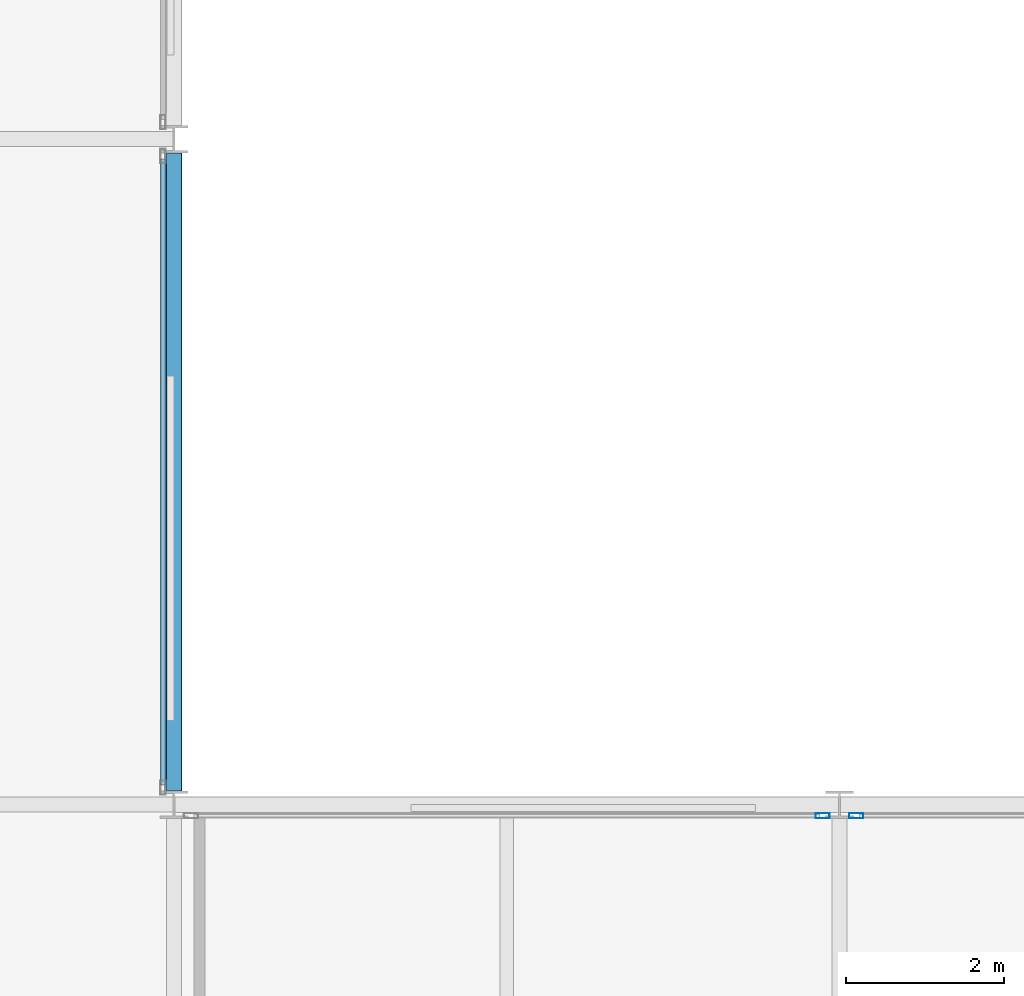
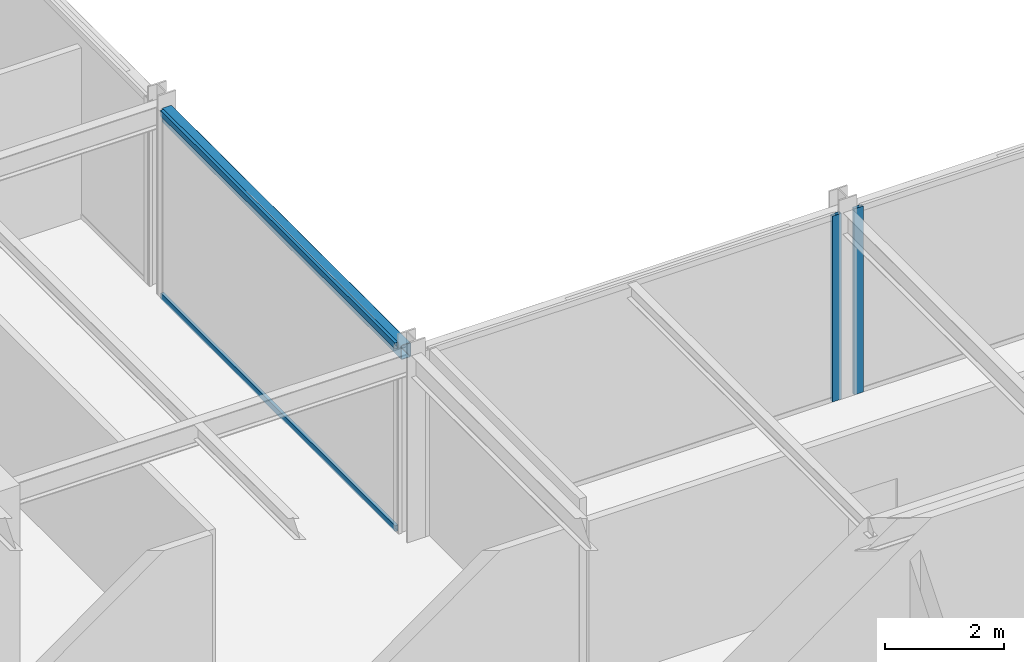
# One storey, part 15 of 29: 4 members, 1 beam, 3 elements without a shape of their own.
"""IFC4 building model written with IfcOpenShell, lengths in metres."""

from ifc_helpers import new_model, si_unit, direction, frame, origin, origin_2d, place, context, subcontext, project, spatial, hollow_rectangle, extrude, material, layer, layer_set, material_profile, profile_set, type_object, element, aggregate, save


model = new_model("IFC4")

# Units and contexts
model_context = context("Model", 3, precision=1e-05, world=origin(), true_north=direction((0.0, 1.0)))
body_context = subcontext(model_context, "Body", "Model", "MODEL_VIEW")
ifc_project = project(units=[si_unit("LENGTHUNIT", "METRE"), si_unit("AREAUNIT", "SQUARE_METRE"), si_unit("VOLUMEUNIT", "CUBIC_METRE"), si_unit("PLANEANGLEUNIT", "RADIAN"), si_unit("MASSUNIT", "GRAM", prefix="KILO")], contexts=[model_context])

# Site, building, storey
site_placement = place(None, origin())
site = spatial("IfcSite", under=ifc_project, at=site_placement, CompositionType="ELEMENT")
building_placement = place(site_placement, origin())
building = spatial("IfcBuilding", under=site, at=building_placement, Name="Nerrivon Quay Data Exchange", CompositionType="ELEMENT")
storey_placement = place(building_placement, frame((0.0, 0.0, 200.10009765625)))
storey = spatial("IfcBuildingStorey", under=building, at=storey_placement, Name="L47", CompositionType="ELEMENT", Elevation=200.10009765625)

# Beam
ifc_material_1 = material(Name="Steel Grade C350L0 (350 MPa)", Category="steel")
ifc_material_profile_1 = material_profile(ifc_material_1, hollow_rectangle(XDim=0.199951171875, YDim=0.300048828125, WallThickness=0.012451171875, InnerFilletRadius=0.018798828125, OuterFilletRadius=0.03125, at=origin_2d()), Name="300x200x12.5RHS")
ifc_profile_set_1 = profile_set([ifc_material_profile_1], Name="Steel Grade C350L0 (350 MPa)")
beam_type = type_object("IfcBeamType", Name="BM-SP3-300x200RHS", PredefinedType="SPANDREL", material=ifc_profile_set_1)
beam_placement = place(storey_placement, frame((25.199951171875, 25.375, 3.6748046875), z_axis=(0.0, 1.0, 0.0), x_axis=(-1.0, 0.0, 0.0)))
element("IfcBeam", 1, at=beam_placement, inside=storey, type_object=beam_type, Name="L47 NS Girder X=25.2 (25.2..33.6)", PredefinedType="SPANDREL", context=body_context, shape_type="SweptSolid", body=[
    extrude(hollow_rectangle(XDim=0.199951171875, YDim=0.300048828125, WallThickness=0.012451171875, InnerFilletRadius=0.018798828125, OuterFilletRadius=0.03125, at=origin_2d()), origin(), (0.0, 0.0, 1.0), 8.050048828125),
])

# Curtain wall, member
ifc_material_2 = material(Name="Anodised aluminium 6063-T6", Category="aluminium")
ifc_layer = layer(ifc_material_2, 0.195068359375)
ifc_layer_set = layer_set([ifc_layer], Name="Anodised aluminium 6063-T6")
curtain_wall_type = type_object("IfcCurtainWallType", Name="CW-SYS-06", PredefinedType="NOTDEFINED", material=ifc_layer_set)
curtain_wall_1_placement = place(storey_placement, origin())
curtain_wall_1 = element("IfcCurtainWall", 2, at=curtain_wall_1_placement, inside=storey, type_object=curtain_wall_type, Name="L47 Unitised Curtain Wall 16", PredefinedType="NOTDEFINED")
ifc_material_profile_2 = material_profile(ifc_material_2, hollow_rectangle(XDim=0.06494140625, YDim=0.179931640625, WallThickness=0.00341796875, at=origin_2d()), Name="ALU-MULL-180x65")
ifc_profile_set_2 = profile_set([ifc_material_profile_2], Name="Anodised aluminium 6063-T6")
member_type_1 = type_object("IfcMemberType", Name="CWM-180x65", PredefinedType="MULLION", material=ifc_profile_set_2)
member_1_placement = place(storey_placement, frame((33.387451171875, 25.06005859375, 0.0), z_axis=(0.0, 0.0, 1.0), x_axis=(0.0, 1.0, 0.0)))
member_1 = element("IfcMember", 3, at=member_1_placement, type_object=member_type_1, Name="CW06 mullion 2", PredefinedType="MULLION", context=body_context, shape_type="SweptSolid", body=[
    extrude(hollow_rectangle(XDim=0.06494140625, YDim=0.179931640625, WallThickness=0.00341796875, at=origin_2d()), origin(), (0.0, 0.0, 1.0), 3.824951171875),
])
aggregate(curtain_wall_1, [member_1])

curtain_wall_2_placement = place(storey_placement, origin())
curtain_wall_2 = element("IfcCurtainWall", 4, at=curtain_wall_2_placement, inside=storey, type_object=curtain_wall_type, Name="L47 Unitised Curtain Wall 17", PredefinedType="NOTDEFINED")
member_2_placement = place(storey_placement, frame((33.8125, 25.06005859375, 0.0), z_axis=(0.0, 0.0, 1.0), x_axis=(0.0, 1.0, 0.0)))
member_2 = element("IfcMember", 5, at=member_2_placement, type_object=member_type_1, Name="CW06 mullion 1", PredefinedType="MULLION", context=body_context, shape_type="SweptSolid", body=[
    extrude(hollow_rectangle(XDim=0.06494140625, YDim=0.179931640625, WallThickness=0.00341796875, at=origin_2d()), origin(), (0.0, 0.0, 1.0), 3.824951171875),
])
aggregate(curtain_wall_2, [member_2])

# Curtain wall, members
curtain_wall_3_placement = place(storey_placement, origin())
curtain_wall_3 = element("IfcCurtainWall", 6, at=curtain_wall_3_placement, inside=storey, type_object=curtain_wall_type, Name="L47 Unitised Curtain Wall 15", PredefinedType="NOTDEFINED")
ifc_material_profile_3 = material_profile(ifc_material_2, hollow_rectangle(XDim=0.06005859375, YDim=0.1201171875, WallThickness=0.003173828125, at=origin_2d()), Name="ALU-TRAN-120x60")
ifc_profile_set_3 = profile_set([ifc_material_profile_3], Name="Anodised aluminium 6063-T6")
member_type_2 = type_object("IfcMemberType", Name="CWT-120x60", PredefinedType="USERDEFINED", material=ifc_profile_set_3)
member_3_placement = place(storey_placement, frame((25.06005859375, 33.35009765625, 0.032470703125), z_axis=(0.0, -1.0, 0.0), x_axis=(1.0, 0.0, 0.0)))
member_3 = element("IfcMember", 7, at=member_3_placement, type_object=member_type_2, Name="CW06 transom 1.1", ObjectType="TRANSOM", PredefinedType="USERDEFINED", context=body_context, shape_type="SweptSolid", body=[
    extrude(hollow_rectangle(XDim=0.06005859375, YDim=0.1201171875, WallThickness=0.003173828125, at=origin_2d()), origin(), (0.0, 0.0, 1.0), 7.900146484375),
])
member_4_placement = place(storey_placement, frame((25.06005859375, 33.35009765625, 3.79248046875), z_axis=(0.0, -1.0, 0.0), x_axis=(1.0, 0.0, 0.0)))
member_4 = element("IfcMember", 8, at=member_4_placement, type_object=member_type_2, Name="CW06 transom 1.2", ObjectType="TRANSOM", PredefinedType="USERDEFINED", context=body_context, shape_type="SweptSolid", body=[
    extrude(hollow_rectangle(XDim=0.06005859375, YDim=0.1201171875, WallThickness=0.003173828125, at=origin_2d()), origin(), (0.0, 0.0, 1.0), 7.900146484375),
])
aggregate(curtain_wall_3, [member_3, member_4])

save(model, "model.ifc")
